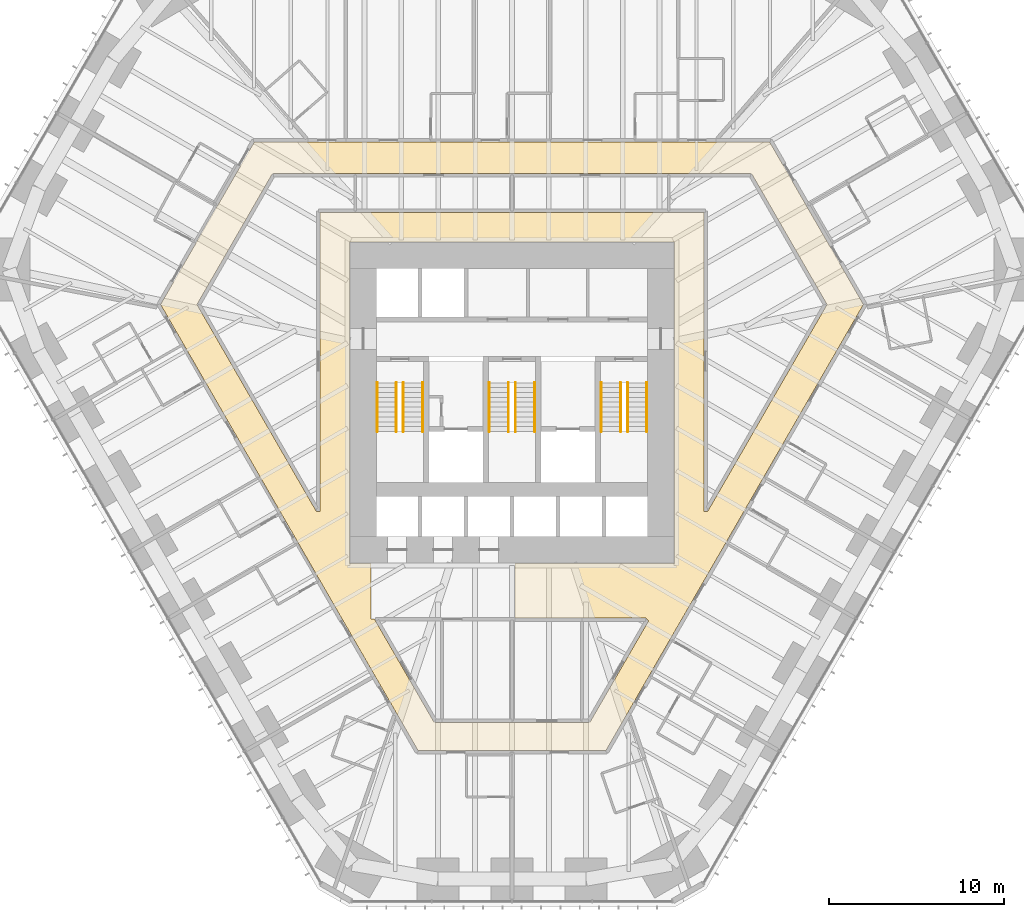
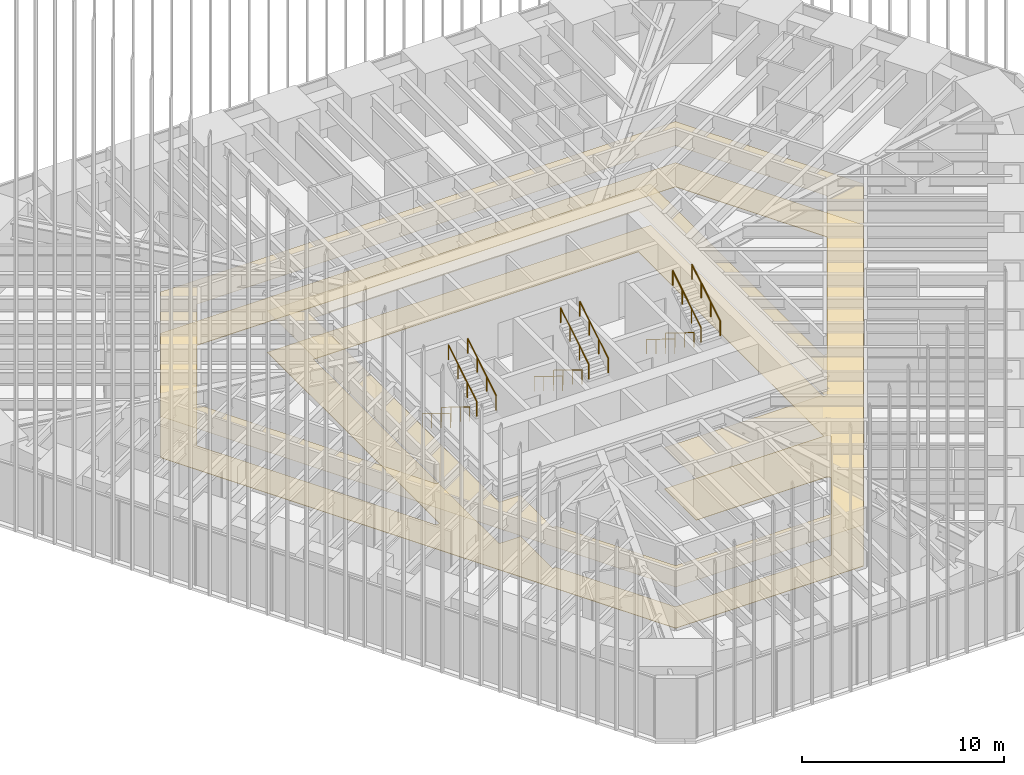
# One storey, part 256 of 256: 12 railings, 2 coverings.
"""IFC4 building model written with IfcOpenShell, lengths in metres."""

from ifc_helpers import new_model, si_unit, direction, frame, origin, origin_2d, place, context, subcontext, project, spatial, polyline, circle, outline, extrude, material, layer, layer_set, type_object, element, save


model = new_model("IFC4")

# Units and contexts
model_context = context("Model", 3, precision=1e-05, world=origin(), true_north=direction((0.0, 1.0)))
body_context = subcontext(model_context, "Body", "Model", "MODEL_VIEW")
ifc_project = project(units=[si_unit("LENGTHUNIT", "METRE"), si_unit("AREAUNIT", "SQUARE_METRE"), si_unit("VOLUMEUNIT", "CUBIC_METRE"), si_unit("PLANEANGLEUNIT", "RADIAN"), si_unit("MASSUNIT", "GRAM", prefix="KILO")], contexts=[model_context])

# Site, building, storey
site_placement = place(None, origin())
site = spatial("IfcSite", under=ifc_project, at=site_placement, CompositionType="ELEMENT")
building_placement = place(site_placement, origin())
building = spatial("IfcBuilding", under=site, at=building_placement, Name="Sandreach Pilgrim Tower", CompositionType="ELEMENT")
storey_placement = place(building_placement, frame((0.0, 0.0, 23.0)))
storey = spatial("IfcBuildingStorey", under=building, at=storey_placement, Name="L04", CompositionType="ELEMENT", Elevation=23.0)

# Covering
ifc_material_1 = material(Name="Gypsum board suspended ceiling on a steel grid", Category="steel")
ifc_layer_1 = layer(ifc_material_1, 0.012939453125)
ifc_layer_set_1 = layer_set([ifc_layer_1], Name="Gypsum board suspended ceiling")
covering_type_1 = type_object("IfcCoveringType", Name="Gypsum board suspended ceiling", PredefinedType="CEILING", material=ifc_layer_set_1)
covering_1_placement = place(storey_placement, frame((0.0, 0.0, 2.5)))
element("IfcCovering", 1, at=covering_1_placement, inside=storey, type_object=covering_type_1, Name="Ceiling 04C Corridor 04", PredefinedType="CEILING", context=body_context, shape_type="SweptSolid", body=[
    extrude(outline(polyline([(-5.3623046875, -21.409912109375), (-20.064453125, 4.06005859375), (-14.7021484375, 13.35009765625), (14.7021484375, 13.35009765625), (20.064453125, 4.06005859375), (5.3623046875, -21.409912109375), (-5.3623046875, -21.409912109375)]), holes=[polyline([(-11.16552734375, -7.760009765625), (-10.949951171875, -7.760009765625), (-10.949951171875, 9.300048828125), (10.949951171875, 9.300048828125), (10.949951171875, -7.760009765625), (11.16552734375, -7.760009765625), (17.9853515625, 4.06005859375), (13.667724609375, 11.550048828125), (-13.667724609375, 11.550048828125), (-17.9853515625, 4.06005859375), (-11.16552734375, -7.760009765625)]), polyline([(-8.050048828125, -10.719970703125), (-8.050048828125, -13.89990234375), (-7.8544921875, -13.89990234375), (-4.437744140625, -19.81005859375), (4.437744140625, -19.81005859375), (7.796630859375, -14.0), (7.635009765625, -13.85009765625), (0.179931640625, -13.85009765625), (0.175048828125, -10.719970703125), (9.27001953125, -10.719970703125), (9.27001953125, 7.6201171875), (-9.27001953125, 7.6201171875), (-9.27001953125, -10.719970703125), (-8.050048828125, -10.719970703125)])]), origin(), (0.0, 0.0, 1.0), 0.012939453125),
])

# Railings
ifc_material_2 = material(Name="Stainless steel tube", Category="steel")
railing_type = type_object("IfcRailingType", Name="Stair handrail", PredefinedType="HANDRAIL", material=ifc_material_2)
for number, where, name in (
    (2, (-6.60009765625, -0.39990234375, 0.172607421875), "Handrail ST1 L04 flight 1"),
    (3, (-7.699951171875, -0.39990234375, 0.172607421875), "Handrail ST1 L04 flight 1"),
):
    element("IfcRailing", number, at=place(storey_placement, frame(where)), inside=storey, type_object=railing_type, Name=name, PredefinedType="HANDRAIL", context=body_context, shape_type="SweptSolid", body=[
        extrude(circle(Radius=0.02392578125, at=origin_2d()), frame((0.0, 0.0, 0.8759765625), z_axis=(0.0, -0.851089632645, 0.525020415988), x_axis=(1.0, 0.0, 0.0)), (0.0, 0.0, 1.0), 3.2900390625),
        extrude(circle(Radius=0.02099609375, at=origin_2d()), origin(), (0.0, 0.0, 1.0), 0.851806640625),
        extrude(circle(Radius=0.02099609375, at=origin_2d()), frame((0.0, -0.933349609375, 0.57568359375)), (0.0, 0.0, 1.0), 0.851806640625),
        extrude(circle(Radius=0.02099609375, at=origin_2d()), frame((0.0, -1.86669921875, 1.151611328125)), (0.0, 0.0, 1.0), 0.851806640625),
        extrude(circle(Radius=0.02099609375, at=origin_2d()), frame((0.0, -2.800048828125, 1.727294921875)), (0.0, 0.0, 1.0), 0.851806640625),
    ])
for number, where, name in (
    (4, (-6.199951171875, -3.199951171875, 2.07275390625), "Handrail ST1 L04 flight 2"),
    (5, (-5.10009765625, -3.199951171875, 2.07275390625), "Handrail ST1 L04 flight 2"),
):
    element("IfcRailing", number, at=place(storey_placement, frame(where)), inside=storey, type_object=railing_type, Name=name, PredefinedType="HANDRAIL", context=body_context, shape_type="SweptSolid", body=[
        extrude(circle(Radius=0.02392578125, at=origin_2d()), frame((0.0, 0.0, 0.8759765625), z_axis=(0.0, 0.851089632645, 0.525020415988), x_axis=(-1.0, 0.0, 0.0)), (0.0, 0.0, 1.0), 3.2900390625),
        extrude(circle(Radius=0.02099609375, at=origin_2d()), origin(), (0.0, 0.0, 1.0), 0.851806640625),
        extrude(circle(Radius=0.02099609375, at=origin_2d()), frame((0.0, 0.933349609375, 0.57568359375)), (0.0, 0.0, 1.0), 0.851806640625),
        extrude(circle(Radius=0.02099609375, at=origin_2d()), frame((0.0, 1.86669921875, 1.151611328125)), (0.0, 0.0, 1.0), 0.851806640625),
        extrude(circle(Radius=0.02099609375, at=origin_2d()), frame((0.0, 2.800048828125, 1.727294921875)), (0.0, 0.0, 1.0), 0.851806640625),
    ])
for number, where, name in (
    (6, (-0.199951171875, -0.39990234375, 0.172607421875), "Handrail ST3 L04 flight 1"),
    (7, (-1.300048828125, -0.39990234375, 0.172607421875), "Handrail ST3 L04 flight 1"),
):
    element("IfcRailing", number, at=place(storey_placement, frame(where)), inside=storey, type_object=railing_type, Name=name, PredefinedType="HANDRAIL", context=body_context, shape_type="SweptSolid", body=[
        extrude(circle(Radius=0.02392578125, at=origin_2d()), frame((0.0, 0.0, 0.8759765625), z_axis=(0.0, -0.851089632645, 0.525020415988), x_axis=(1.0, 0.0, 0.0)), (0.0, 0.0, 1.0), 3.2900390625),
        extrude(circle(Radius=0.02099609375, at=origin_2d()), origin(), (0.0, 0.0, 1.0), 0.851806640625),
        extrude(circle(Radius=0.02099609375, at=origin_2d()), frame((0.0, -0.933349609375, 0.57568359375)), (0.0, 0.0, 1.0), 0.851806640625),
        extrude(circle(Radius=0.02099609375, at=origin_2d()), frame((0.0, -1.86669921875, 1.151611328125)), (0.0, 0.0, 1.0), 0.851806640625),
        extrude(circle(Radius=0.02099609375, at=origin_2d()), frame((0.0, -2.800048828125, 1.727294921875)), (0.0, 0.0, 1.0), 0.851806640625),
    ])
for number, where, name in (
    (8, (0.199951171875, -3.199951171875, 2.07275390625), "Handrail ST3 L04 flight 2"),
    (9, (1.300048828125, -3.199951171875, 2.07275390625), "Handrail ST3 L04 flight 2"),
):
    element("IfcRailing", number, at=place(storey_placement, frame(where)), inside=storey, type_object=railing_type, Name=name, PredefinedType="HANDRAIL", context=body_context, shape_type="SweptSolid", body=[
        extrude(circle(Radius=0.02392578125, at=origin_2d()), frame((0.0, 0.0, 0.8759765625), z_axis=(0.0, 0.851089632645, 0.525020415988), x_axis=(-1.0, 0.0, 0.0)), (0.0, 0.0, 1.0), 3.2900390625),
        extrude(circle(Radius=0.02099609375, at=origin_2d()), origin(), (0.0, 0.0, 1.0), 0.851806640625),
        extrude(circle(Radius=0.02099609375, at=origin_2d()), frame((0.0, 0.933349609375, 0.57568359375)), (0.0, 0.0, 1.0), 0.851806640625),
        extrude(circle(Radius=0.02099609375, at=origin_2d()), frame((0.0, 1.86669921875, 1.151611328125)), (0.0, 0.0, 1.0), 0.851806640625),
        extrude(circle(Radius=0.02099609375, at=origin_2d()), frame((0.0, 2.800048828125, 1.727294921875)), (0.0, 0.0, 1.0), 0.851806640625),
    ])
for number, where, name in (
    (10, (6.199951171875, -0.39990234375, 0.172607421875), "Handrail ST2 L04 flight 1"),
    (11, (5.10009765625, -0.39990234375, 0.172607421875), "Handrail ST2 L04 flight 1"),
):
    element("IfcRailing", number, at=place(storey_placement, frame(where)), inside=storey, type_object=railing_type, Name=name, PredefinedType="HANDRAIL", context=body_context, shape_type="SweptSolid", body=[
        extrude(circle(Radius=0.02392578125, at=origin_2d()), frame((0.0, 0.0, 0.8759765625), z_axis=(0.0, -0.851089632645, 0.525020415988), x_axis=(1.0, 0.0, 0.0)), (0.0, 0.0, 1.0), 3.2900390625),
        extrude(circle(Radius=0.02099609375, at=origin_2d()), origin(), (0.0, 0.0, 1.0), 0.851806640625),
        extrude(circle(Radius=0.02099609375, at=origin_2d()), frame((0.0, -0.933349609375, 0.57568359375)), (0.0, 0.0, 1.0), 0.851806640625),
        extrude(circle(Radius=0.02099609375, at=origin_2d()), frame((0.0, -1.86669921875, 1.151611328125)), (0.0, 0.0, 1.0), 0.851806640625),
        extrude(circle(Radius=0.02099609375, at=origin_2d()), frame((0.0, -2.800048828125, 1.727294921875)), (0.0, 0.0, 1.0), 0.851806640625),
    ])
for number, where, name in (
    (12, (6.60009765625, -3.199951171875, 2.07275390625), "Handrail ST2 L04 flight 2"),
    (13, (7.699951171875, -3.199951171875, 2.07275390625), "Handrail ST2 L04 flight 2"),
):
    element("IfcRailing", number, at=place(storey_placement, frame(where)), inside=storey, type_object=railing_type, Name=name, PredefinedType="HANDRAIL", context=body_context, shape_type="SweptSolid", body=[
        extrude(circle(Radius=0.02392578125, at=origin_2d()), frame((0.0, 0.0, 0.8759765625), z_axis=(0.0, 0.851089632645, 0.525020415988), x_axis=(-1.0, 0.0, 0.0)), (0.0, 0.0, 1.0), 3.2900390625),
        extrude(circle(Radius=0.02099609375, at=origin_2d()), origin(), (0.0, 0.0, 1.0), 0.851806640625),
        extrude(circle(Radius=0.02099609375, at=origin_2d()), frame((0.0, 0.933349609375, 0.57568359375)), (0.0, 0.0, 1.0), 0.851806640625),
        extrude(circle(Radius=0.02099609375, at=origin_2d()), frame((0.0, 1.86669921875, 1.151611328125)), (0.0, 0.0, 1.0), 0.851806640625),
        extrude(circle(Radius=0.02099609375, at=origin_2d()), frame((0.0, 2.800048828125, 1.727294921875)), (0.0, 0.0, 1.0), 0.851806640625),
    ])

# Covering
ifc_material_3 = material(Name="Cement terrazzo, ground and polished", Category="terrazzo")
ifc_layer_2 = layer(ifc_material_3, 0.02490234375)
ifc_layer_set_2 = layer_set([ifc_layer_2], Name="Terrazzo")
covering_type_2 = type_object("IfcCoveringType", Name="Terrazzo", PredefinedType="FLOORING", material=ifc_layer_set_2)
covering_2_placement = place(storey_placement, origin())
element("IfcCovering", 14, at=covering_2_placement, inside=storey, type_object=covering_type_2, Name="Floor finish 04C Corridor 04", PredefinedType="FLOORING", context=body_context, shape_type="SweptSolid", body=[
    extrude(outline(polyline([(-5.3623046875, -21.409912109375), (-20.064453125, 4.06005859375), (-14.7021484375, 13.35009765625), (14.7021484375, 13.35009765625), (20.064453125, 4.06005859375), (5.3623046875, -21.409912109375), (-5.3623046875, -21.409912109375)]), holes=[polyline([(-11.16552734375, -7.760009765625), (-10.949951171875, -7.760009765625), (-10.949951171875, 9.300048828125), (10.949951171875, 9.300048828125), (10.949951171875, -7.760009765625), (11.16552734375, -7.760009765625), (17.9853515625, 4.06005859375), (13.667724609375, 11.550048828125), (-13.667724609375, 11.550048828125), (-17.9853515625, 4.06005859375), (-11.16552734375, -7.760009765625)]), polyline([(-8.050048828125, -10.719970703125), (-8.050048828125, -13.89990234375), (-7.8544921875, -13.89990234375), (-4.437744140625, -19.81005859375), (4.437744140625, -19.81005859375), (7.796630859375, -14.0), (7.635009765625, -13.85009765625), (0.179931640625, -13.85009765625), (0.175048828125, -10.719970703125), (9.27001953125, -10.719970703125), (9.27001953125, 7.6201171875), (-9.27001953125, 7.6201171875), (-9.27001953125, -10.719970703125), (-8.050048828125, -10.719970703125)])]), origin(), (0.0, 0.0, 1.0), 0.02490234375),
])

save(model, "model.ifc")
